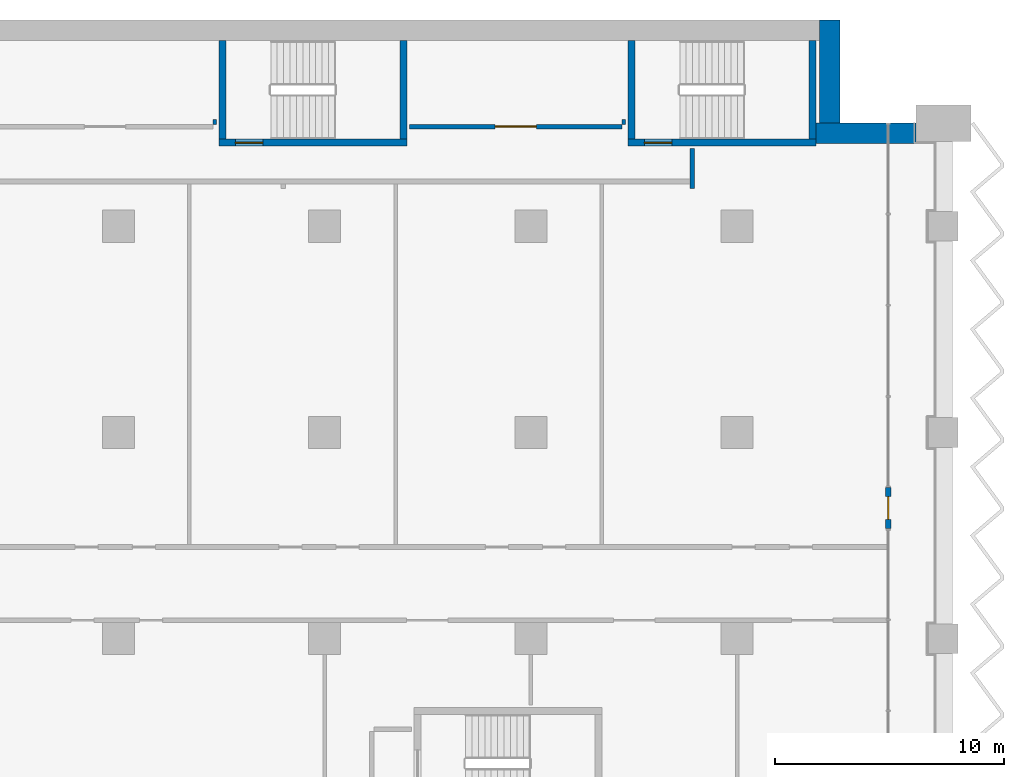
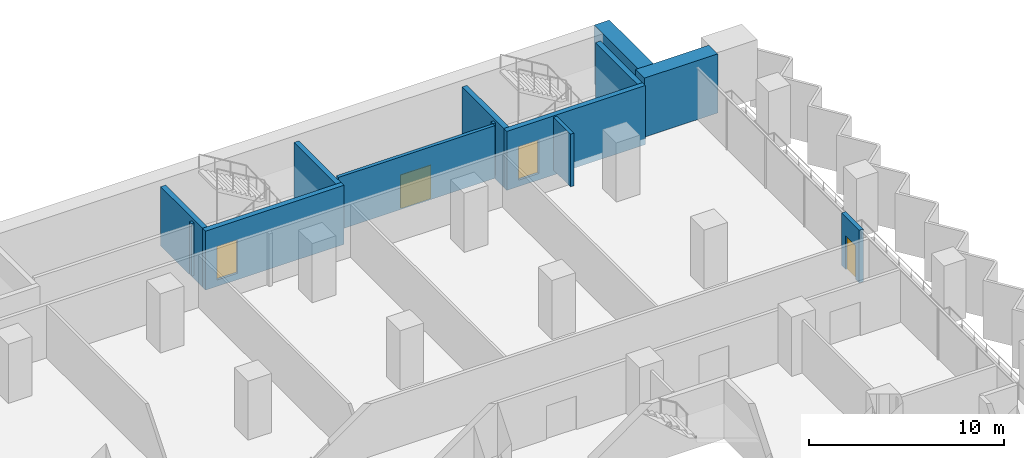
# One storey, part 19 of 29: 13 walls, 4 doors, 4 openings.
"""IFC4 building model written with IfcOpenShell, lengths in metres."""

from ifc_helpers import new_model, si_unit, direction, frame, frame_2d, origin, place, context, subcontext, project, spatial, rectangle, extrude, material, layer, layer_set, type_object, element, fill, save


model = new_model("IFC4")

# Units and contexts
model_context = context("Model", 3, precision=1e-05, world=origin(), true_north=direction((0.0, 1.0)))
body_context = subcontext(model_context, "Body", "Model", "MODEL_VIEW")
ifc_project = project(units=[si_unit("LENGTHUNIT", "METRE"), si_unit("AREAUNIT", "SQUARE_METRE"), si_unit("VOLUMEUNIT", "CUBIC_METRE"), si_unit("PLANEANGLEUNIT", "RADIAN"), si_unit("MASSUNIT", "GRAM", prefix="KILO")], contexts=[model_context])

# Site, building, storey
site_placement = place(None, origin())
site = spatial("IfcSite", under=ifc_project, at=site_placement, CompositionType="ELEMENT")
building_placement = place(site_placement, origin())
building = spatial("IfcBuilding", under=site, at=building_placement, Name="Hunhe Ridgeline Campus", CompositionType="ELEMENT")
storey_placement = place(building_placement, frame((0.0, 0.0, 54.300048828125)))
storey = spatial("IfcBuildingStorey", under=building, at=storey_placement, Name="L12", CompositionType="ELEMENT", Elevation=54.300048828125)

# Wall, opening, door
ifc_material_1 = material(Name="Gypsum board partition")
ifc_layer_1 = layer(ifc_material_1, 0.199951171875)
ifc_layer_set_1 = layer_set([ifc_layer_1], Name="Corridor partition 200 gypsum board on steel studs")
wall_type_1 = type_object("IfcWallType", Name="Corridor partition 200 gypsum board on steel studs", PredefinedType="PARTITIONING", material=ifc_layer_set_1)
wall_1_placement = place(storey_placement, frame((75.7041015625, 94.35009765625, 0.0), z_axis=(0.0, 0.0, 1.0), x_axis=(1.0, 0.0, 0.0)))
wall_1 = element("IfcWall", 1, at=wall_1_placement, inside=storey, type_object=wall_type_1, Name="F-L12-wall-054", PredefinedType="PARTITIONING", context=body_context, shape_type="SweptSolid", body=[
    extrude(rectangle(XDim=9.27099609375, YDim=0.199951171875, at=frame_2d((4.635498046875, 0.0))), origin(), (0.0, 0.0, 1.0), 3.300048828125),
])
opening_1_placement = place(wall_1_placement, frame((3.735595703125, 0.0, 0.0)))
opening_1 = element("IfcOpeningElement", 2, at=opening_1_placement, cuts=wall_1, Name="Opening RD2-049", PredefinedType="OPENING", context=body_context, shape_type="SweptSolid", body=[
    extrude(rectangle(XDim=1.800048828125, YDim=2.10009765625, at=frame_2d((0.89990234375, 1.050048828125))), frame((0.0, 0.10009765625, 0.0), z_axis=(0.0, -1.0, 0.0), x_axis=(1.0, 0.0, 0.0)), (0.0, 0.0, 1.0), 0.199951171875),
])
ifc_material_2 = material(Name="Timber door leaf", Category="wood")
door_type_1 = type_object("IfcDoorType", Name="Double fire door 1800x2100 timber FD60", OperationType="DOUBLE_DOOR_SINGLE_SWING", PredefinedType="DOOR", material=ifc_material_2)
door_1_placement = place(opening_1_placement, origin())
door_1 = element("IfcDoor", 3, at=door_1_placement, inside=storey, type_object=door_type_1, Name="F-L12-door-049", OperationType="DOUBLE_DOOR_SINGLE_SWING", OverallHeight=2.10009765625, OverallWidth=1.800048828125, PredefinedType="DOOR", context=body_context, shape_type="SweptSolid", body=[
    extrude(rectangle(XDim=1.800048828125, YDim=2.10009765625, at=frame_2d((0.89990234375, 1.050048828125))), frame((0.0, 0.02490234375, 0.0), z_axis=(0.0, -1.0, 0.0), x_axis=(1.0, 0.0, 0.0)), (0.0, 0.0, 1.0), 0.050048828125),
])
fill(opening_1, door_1)

# Wall
wall_2_placement = place(storey_placement, frame((88.050048828125, 93.39599609375, 0.0), z_axis=(0.0, 0.0, 1.0), x_axis=(0.0, -1.0, 0.0)))
element("IfcWall", 4, at=wall_2_placement, inside=storey, type_object=wall_type_1, Name="F-L12-wall-090", PredefinedType="PARTITIONING", context=body_context, shape_type="SweptSolid", body=[
    extrude(rectangle(XDim=1.74609375, YDim=0.199951171875, at=frame_2d((0.873046875, 0.0))), origin(), (0.0, 0.0, 1.0), 3.300048828125),
])

# Wall, opening, door
ifc_material_3 = material(Name="Concrete C30", Category="concrete")
ifc_layer_2 = layer(ifc_material_3, 0.25)
ifc_layer_set_2 = layer_set([ifc_layer_2], Name="Loggia door pier wall 250 Concrete C30")
wall_type_2 = type_object("IfcWallType", Name="Loggia door pier wall 250 Concrete C30", PredefinedType="SOLIDWALL", material=ifc_layer_set_2)
wall_3_placement = place(storey_placement, frame((96.59912109375, 76.800537109375, 0.0), z_axis=(0.0, 0.0, 1.0), x_axis=(0.0, 1.0, 0.0)))
wall_3 = element("IfcWall", 5, at=wall_3_placement, inside=storey, type_object=wall_type_2, Name="Loggia door pier 4", PredefinedType="SOLIDWALL", context=body_context, shape_type="SweptSolid", body=[
    extrude(rectangle(XDim=1.800048828125, YDim=0.25, at=frame_2d((0.89990234375, 0.0))), origin(), (0.0, 0.0, 1.0), 3.300048828125),
])
opening_2_placement = place(wall_3_placement, frame((0.39990234375, 0.0, 0.0)))
opening_2 = element("IfcOpeningElement", 6, at=opening_2_placement, cuts=wall_3, Name="Opening BD108", PredefinedType="OPENING", context=body_context, shape_type="SweptSolid", body=[
    extrude(rectangle(XDim=1.0, YDim=2.10009765625, at=frame_2d((0.5, 1.050048828125))), frame((0.0, 0.125, 0.0), z_axis=(0.0, -1.0, 0.0), x_axis=(1.0, 0.0, 0.0)), (0.0, 0.0, 1.0), 0.25),
])
ifc_material_4 = material(Name="Aluminium 6063", Category="aluminium")
door_type_2 = type_object("IfcDoorType", Name="Loggia glazed door 1000x2100", OperationType="NOTDEFINED", PredefinedType="DOOR", material=ifc_material_4)
door_2_placement = place(opening_2_placement, frame((1.0, 0.0, 0.0), z_axis=(0.0, 0.0, 1.0), x_axis=(-1.0, 0.0, 0.0)))
door_2 = element("IfcDoor", 7, at=door_2_placement, inside=storey, type_object=door_type_2, Name="Loggia door BD108", OperationType="SINGLE_SWING_LEFT", OverallHeight=2.10009765625, OverallWidth=1.0, PredefinedType="DOOR", context=body_context, shape_type="SweptSolid", body=[
    extrude(rectangle(XDim=1.0, YDim=2.10009765625, at=frame_2d((0.5, 1.050048828125))), frame((0.0, 0.02490234375, 0.0), z_axis=(0.0, -1.0, 0.0), x_axis=(1.0, 0.0, 0.0)), (0.0, 0.0, 1.0), 0.050048828125),
])
fill(opening_2, door_2)

# Walls
ifc_layer_3 = layer(ifc_material_1, 0.14990234375)
ifc_layer_set_3 = layer_set([ifc_layer_3], Name="Room partition 150 gypsum board on steel studs")
wall_type_3 = type_object("IfcWallType", Name="Room partition 150 gypsum board on steel studs", PredefinedType="PARTITIONING", material=ifc_layer_set_3)
for number, where, z_axis, x_axis, name in (
    (8, (67.199951171875, 94.64990234375, 0.0), (0.0, 0.0, 1.0), (0.0, -1.0, 0.0), "F-L12-wall-080"),
    (9, (85.050048828125, 94.64990234375, 0.0), (0.0, 0.0, 1.0), (0.0, -1.0, 0.0), "F-L12-wall-089"),
):
    element("IfcWall", number, at=place(storey_placement, frame(where, z_axis=z_axis, x_axis=x_axis)), inside=storey, type_object=wall_type_3, Name=name, PredefinedType="PARTITIONING", context=body_context, shape_type="SweptSolid", body=[
        extrude(rectangle(XDim=0.199951171875, YDim=0.14990234375, at=frame_2d((0.10009765625, 0.0))), origin(), (0.0, 0.0, 1.0), 3.300048828125),
    ])
ifc_material_5 = material(Name="Concrete C80", Category="concrete")
ifc_layer_4 = layer(ifc_material_5, 0.89990234375)
ifc_layer_set_4 = layer_set([ifc_layer_4], Name="Spine wall 900 Concrete C80")
wall_type_4 = type_object("IfcWallType", Name="Spine wall 900 Concrete C80", PredefinedType="SHEAR", material=ifc_layer_set_4)
wall_4_placement = place(storey_placement, frame((97.800048828125, 94.050048828125, 0.0), z_axis=(0.0, 0.0, 1.0), x_axis=(-1.0, 0.0, 0.0)))
element("IfcWall", 10, at=wall_4_placement, inside=storey, type_object=wall_type_4, Name="Spine wall SW1-2 L12", PredefinedType="SHEAR", context=body_context, shape_type="SweptSolid", body=[
    extrude(rectangle(XDim=4.3505859375, YDim=0.89990234375, at=frame_2d((2.17529296875, 0.0))), origin(), (0.0, 0.0, 1.0), 3.699951171875),
])
wall_5_placement = place(storey_placement, frame((94.050048828125, 93.60009765625, 0.0), z_axis=(0.0, 0.0, 1.0), x_axis=(0.0, 1.0, 0.0)))
element("IfcWall", 11, at=wall_5_placement, inside=storey, type_object=wall_type_4, Name="Spine wall SW1-3 L12", PredefinedType="SHEAR", context=body_context, shape_type="SweptSolid", body=[
    extrude(rectangle(XDim=5.39990234375, YDim=0.89990234375, at=frame_2d((2.699951171875, 0.0))), origin(), (0.0, 0.0, 1.0), 3.699951171875),
])

# Wall, opening, door
ifc_layer_5 = layer(ifc_material_5, 0.300048828125)
ifc_layer_set_5 = layer_set([ifc_layer_5], Name="Stair wall 300 reinforced concrete C80")
wall_type_5 = type_object("IfcWallType", Name="Stair wall 300 reinforced concrete C80", PredefinedType="SOLIDWALL", material=ifc_layer_set_5)
wall_6_placement = place(storey_placement, frame((67.39990234375, 93.64990234375, -0.400146484375), z_axis=(0.0, 0.0, 1.0), x_axis=(1.0, 0.0, 0.0)))
wall_6 = element("IfcWall", 12, at=wall_6_placement, inside=storey, type_object=wall_type_5, Name="L12 core wall 32", PredefinedType="SOLIDWALL", context=body_context, shape_type="SweptSolid", body=[
    extrude(rectangle(XDim=8.2001953125, YDim=0.300048828125, at=frame_2d((4.10009765625, 0.0))), origin(), (0.0, 0.0, 1.0), 3.7001953125),
])
opening_3_placement = place(wall_6_placement, frame((0.699951171875, 0.0, 0.39990234375)))
opening_3 = element("IfcOpeningElement", 13, at=opening_3_placement, cuts=wall_6, Name="Opening CD19", PredefinedType="OPENING", context=body_context, shape_type="SweptSolid", body=[
    extrude(rectangle(XDim=1.199951171875, YDim=2.10009765625, at=frame_2d((0.60009765625, 1.050048828125))), frame((0.0, 0.14990234375, 0.0), z_axis=(0.0, -1.0, 0.0), x_axis=(1.0, 0.0, 0.0)), (0.0, 0.0, 1.0), 0.300048828125),
])
ifc_material_6 = material(Name="Hollow metal fire door leaf")
door_type_3 = type_object("IfcDoorType", Name="Stair door 1200x2100 FD60", OperationType="SINGLE_SWING_LEFT", PredefinedType="DOOR", material=ifc_material_6)
door_3_placement = place(opening_3_placement, frame((1.199951171875, 0.0, 0.0), z_axis=(0.0, 0.0, 1.0), x_axis=(-1.0, 0.0, 0.0)))
door_3 = element("IfcDoor", 14, at=door_3_placement, inside=storey, type_object=door_type_3, Name="L12 door E3", OperationType="SINGLE_SWING_RIGHT", OverallHeight=2.10009765625, OverallWidth=1.199951171875, PredefinedType="DOOR", context=body_context, shape_type="SweptSolid", body=[
    extrude(rectangle(XDim=1.199951171875, YDim=2.10009765625, at=frame_2d((0.60009765625, 1.050048828125))), frame((0.0, 0.02490234375, 0.0), z_axis=(0.0, -1.0, 0.0), x_axis=(1.0, 0.0, 0.0)), (0.0, 0.0, 1.0), 0.050048828125),
])
fill(opening_3, door_3)

wall_7_placement = place(storey_placement, frame((85.25, 93.64990234375, -0.400146484375), z_axis=(0.0, 0.0, 1.0), x_axis=(1.0, 0.0, 0.0)))
wall_7 = element("IfcWall", 15, at=wall_7_placement, inside=storey, type_object=wall_type_5, Name="L12 core wall 33", PredefinedType="SOLIDWALL", context=body_context, shape_type="SweptSolid", body=[
    extrude(rectangle(XDim=8.199951171875, YDim=0.300048828125, at=frame_2d((4.10009765625, 0.0))), origin(), (0.0, 0.0, 1.0), 3.7001953125),
])
opening_4_placement = place(wall_7_placement, frame((0.699951171875, 0.0, 0.39990234375)))
opening_4 = element("IfcOpeningElement", 16, at=opening_4_placement, cuts=wall_7, Name="Opening CD20", PredefinedType="OPENING", context=body_context, shape_type="SweptSolid", body=[
    extrude(rectangle(XDim=1.199951171875, YDim=2.10009765625, at=frame_2d((0.60009765625, 1.050048828125))), frame((0.0, 0.14990234375, 0.0), z_axis=(0.0, -1.0, 0.0), x_axis=(1.0, 0.0, 0.0)), (0.0, 0.0, 1.0), 0.300048828125),
])
door_4_placement = place(opening_4_placement, frame((1.199951171875, 0.0, 0.0), z_axis=(0.0, 0.0, 1.0), x_axis=(-1.0, 0.0, 0.0)))
door_4 = element("IfcDoor", 17, at=door_4_placement, inside=storey, type_object=door_type_3, Name="L12 door E4", OperationType="SINGLE_SWING_LEFT", OverallHeight=2.10009765625, OverallWidth=1.199951171875, PredefinedType="DOOR", context=body_context, shape_type="SweptSolid", body=[
    extrude(rectangle(XDim=1.199951171875, YDim=2.10009765625, at=frame_2d((0.60009765625, 1.050048828125))), frame((0.0, 0.02490234375, 0.0), z_axis=(0.0, -1.0, 0.0), x_axis=(1.0, 0.0, 0.0)), (0.0, 0.0, 1.0), 0.050048828125),
])
fill(opening_4, door_4)

# Walls
for number, where, z_axis, x_axis, name in (
    (18, (67.550048828125, 93.800048828125, -0.400146484375), (0.0, 0.0, 1.0), (0.0, 1.0, 0.0), "L12 core wall 69"),
    (19, (75.449951171875, 93.800048828125, -0.400146484375), (0.0, 0.0, 1.0), (0.0, 1.0, 0.0), "L12 core wall 70"),
    (20, (85.39990234375, 93.800048828125, -0.400146484375), (0.0, 0.0, 1.0), (0.0, 1.0, 0.0), "L12 core wall 73"),
    (21, (93.300048828125, 93.800048828125, -0.400146484375), (0.0, 0.0, 1.0), (0.0, 1.0, 0.0), "L12 core wall 74"),
):
    element("IfcWall", number, at=place(storey_placement, frame(where, z_axis=z_axis, x_axis=x_axis)), inside=storey, type_object=wall_type_5, Name=name, PredefinedType="SOLIDWALL", context=body_context, shape_type="SweptSolid", body=[
        extrude(rectangle(XDim=4.300048828125, YDim=0.300048828125, at=frame_2d((2.14990234375, 0.0))), origin(), (0.0, 0.0, 1.0), 3.7001953125),
    ])

save(model, "model.ifc")
